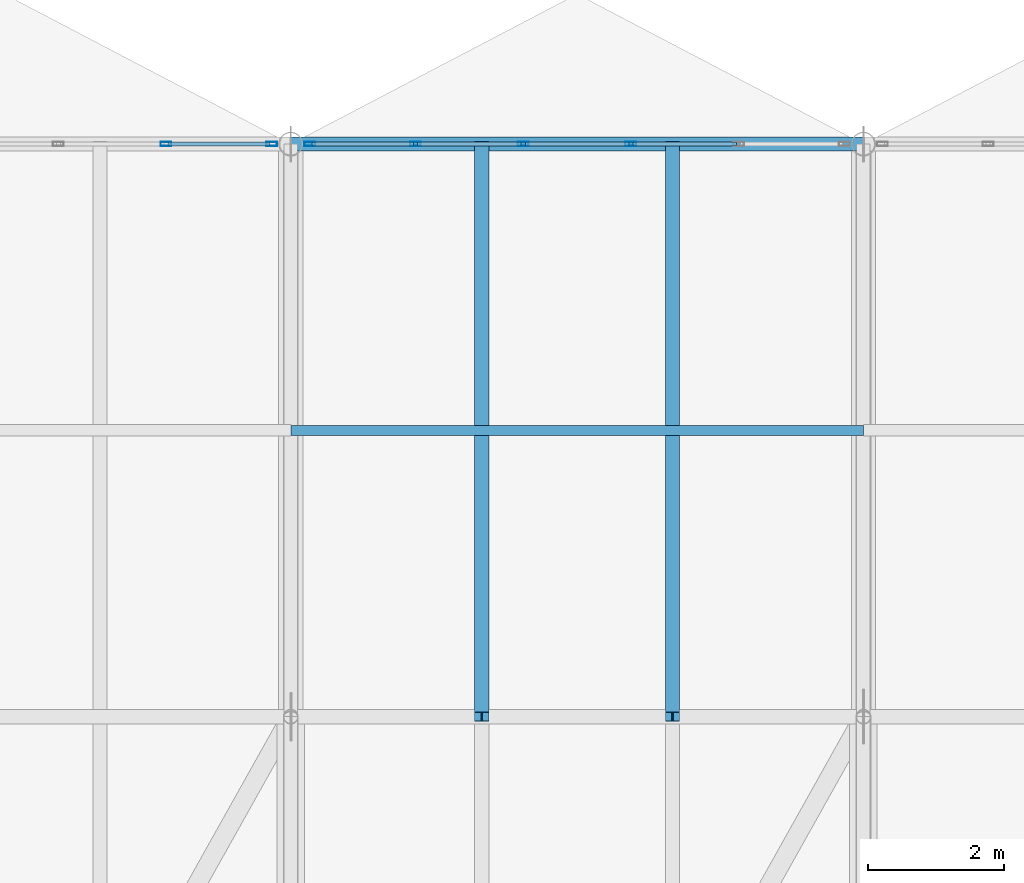
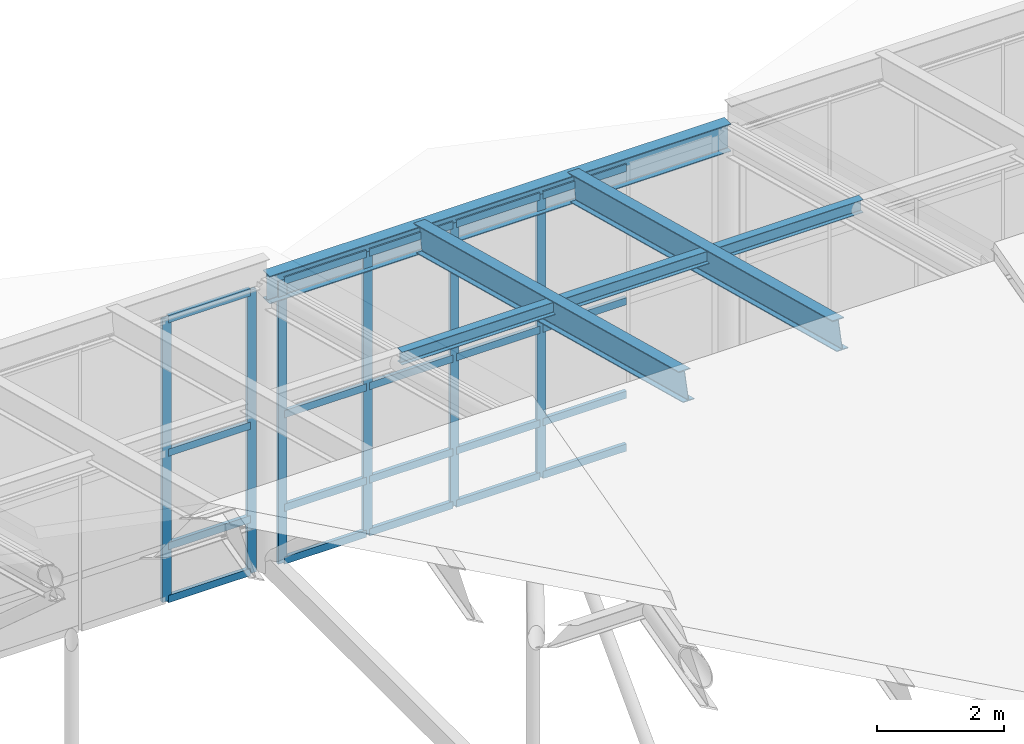
# One storey, part 31 of 43: 27 members, 3 beams, 2 elements without a shape of their own.
"""IFC4 building model written with IfcOpenShell, lengths in metres."""

from ifc_helpers import new_model, si_unit, direction, frame, origin, origin_2d, place, context, subcontext, project, spatial, hollow_rectangle, i_section, extrude, material, layer, layer_set, material_profile, profile_set, type_object, element, aggregate, save


model = new_model("IFC4")

# Units and contexts
model_context = context("Model", 3, precision=1e-05, world=origin(), true_north=direction((0.0, 1.0)))
body_context = subcontext(model_context, "Body", "Model", "MODEL_VIEW")
ifc_project = project(units=[si_unit("LENGTHUNIT", "METRE"), si_unit("AREAUNIT", "SQUARE_METRE"), si_unit("VOLUMEUNIT", "CUBIC_METRE"), si_unit("PLANEANGLEUNIT", "RADIAN"), si_unit("MASSUNIT", "GRAM", prefix="KILO")], contexts=[model_context])

# Site, building, storey
site_placement = place(None, origin())
site = spatial("IfcSite", under=ifc_project, at=site_placement, CompositionType="ELEMENT")
building_placement = place(site_placement, origin())
building = spatial("IfcBuilding", under=site, at=building_placement, Name="Selat Folded Stagehouse", CompositionType="ELEMENT")
storey_placement = place(building_placement, frame((0.0, 0.0, 32.39990234375)))
storey = spatial("IfcBuildingStorey", under=building, at=storey_placement, Name="RF", CompositionType="ELEMENT", Elevation=32.39990234375)

# Beams
ifc_material_1 = material(Name="Steel S355", Category="steel")
ifc_material_profile_1 = material_profile(ifc_material_1, i_section(OverallWidth=0.209228515625, OverallDepth=0.533203125, WebThickness=0.010009765625, FlangeThickness=0.015625, FilletRadius=0.0126953125, at=origin_2d()), Name="UKB 533x210x92")
ifc_profile_set_1 = profile_set([ifc_material_profile_1], Name="Steel S355")
beam_type = type_object("IfcBeamType", Name="BM-GIRD-533x210x92", PredefinedType="BEAM", material=ifc_profile_set_1)
beam_placement = place(storey_placement, frame((50.39990234375, 54.60009765625, 5.388916015625), z_axis=(1.0, 0.0, 0.0), x_axis=(0.0, 1.0, 0.0)))
element("IfcBeam", 1, at=beam_placement, inside=storey, type_object=beam_type, Name="RF bay 6 N roof bearer beam", PredefinedType="BEAM", context=body_context, shape_type="SweptSolid", body=[
    extrude(i_section(OverallWidth=0.209228515625, OverallDepth=0.533203125, WebThickness=0.010009765625, FlangeThickness=0.015625, FilletRadius=0.0126953125, at=origin_2d()), origin(), (0.0, 0.0, 1.0), 8.400146484375),
])
for number, where, z_axis, x_axis, name in (
    (2, (53.199951171875, 46.199951171875, 7.60888671875), (0.0, 0.966807574904, -0.255505602889), (-1.0, 0.0, 0.0), "RF bay 6 W north sub-rafter"),
    (3, (56.0, 46.199951171875, 7.60888671875), (0.0, 0.966807574904, -0.255505602889), (-1.0, 0.0, 0.0), "RF bay 6 E north sub-rafter"),
):
    element("IfcBeam", number, at=place(storey_placement, frame(where, z_axis=z_axis, x_axis=x_axis)), inside=storey, type_object=beam_type, Name=name, PredefinedType="BEAM", context=body_context, shape_type="SweptSolid", body=[
        extrude(i_section(OverallWidth=0.209228515625, OverallDepth=0.533203125, WebThickness=0.010009765625, FlangeThickness=0.015625, FilletRadius=0.0126953125, at=origin_2d()), origin(), (0.0, 0.0, 1.0), 8.6884765625),
    ])

# Curtain wall, members
ifc_material_2 = material(Name="Aluminium 6063-T6", Category="aluminium")
ifc_layer = layer(ifc_material_2, 0.169921875)
ifc_layer_set = layer_set([ifc_layer], Name="Aluminium 6063-T6")
curtain_wall_type = type_object("IfcCurtainWallType", Name="CW-CRN-CLER", PredefinedType="NOTDEFINED", material=ifc_layer_set)
curtain_wall_1_placement = place(storey_placement, origin())
curtain_wall_1 = element("IfcCurtainWall", 4, at=curtain_wall_1_placement, inside=storey, type_object=curtain_wall_type, Name="RF curtain wall CW-RF-N-04", PredefinedType="NOTDEFINED")
ifc_material_profile_2 = material_profile(ifc_material_2, hollow_rectangle(XDim=0.06005859375, YDim=0.159912109375, WallThickness=0.00390625, at=origin_2d()), Name="ALU 160x60x4.0")
ifc_profile_set_2 = profile_set([ifc_material_profile_2], Name="Aluminium 6063-T6")
member_type_1 = type_object("IfcMemberType", Name="CWM-MUL-160x60", PredefinedType="MULLION", material=ifc_profile_set_2)
member_1_placement = place(storey_placement, frame((48.570068359375, 54.60009765625, 0.0), z_axis=(0.0, 0.0, 1.0), x_axis=(0.0, 1.0, 0.0)))
member_1 = element("IfcMember", 5, at=member_1_placement, type_object=member_type_1, Name="CW-09 mullion 5", PredefinedType="MULLION", context=body_context, shape_type="SweptSolid", body=[
    extrude(hollow_rectangle(XDim=0.06005859375, YDim=0.159912109375, WallThickness=0.00390625, at=origin_2d()), origin(), (0.0, 0.0, 1.0), 5.4501953125),
])
member_2_placement = place(storey_placement, frame((50.1201171875, 54.60009765625, 0.0), z_axis=(0.0, 0.0, 1.0), x_axis=(0.0, 1.0, 0.0)))
member_2 = element("IfcMember", 6, at=member_2_placement, type_object=member_type_1, Name="CW-09 mullion 6", PredefinedType="MULLION", context=body_context, shape_type="SweptSolid", body=[
    extrude(hollow_rectangle(XDim=0.06005859375, YDim=0.159912109375, WallThickness=0.00390625, at=origin_2d()), origin(), (0.0, 0.0, 1.0), 5.4501953125),
])

curtain_wall_2_placement = place(storey_placement, origin())
curtain_wall_2 = element("IfcCurtainWall", 7, at=curtain_wall_2_placement, inside=storey, type_object=curtain_wall_type, Name="RF curtain wall CW-RF-N-05", PredefinedType="NOTDEFINED")
member_3_placement = place(storey_placement, frame((50.679931640625, 54.60009765625, 0.0), z_axis=(0.0, 0.0, 1.0), x_axis=(0.0, 1.0, 0.0)))
member_3 = element("IfcMember", 8, at=member_3_placement, type_object=member_type_1, Name="CW-09 mullion 1", PredefinedType="MULLION", context=body_context, shape_type="SweptSolid", body=[
    extrude(hollow_rectangle(XDim=0.06005859375, YDim=0.159912109375, WallThickness=0.00390625, at=origin_2d()), origin(), (0.0, 0.0, 1.0), 5.4501953125),
])
member_4_placement = place(storey_placement, frame((52.22998046875, 54.60009765625, 0.0), z_axis=(0.0, 0.0, 1.0), x_axis=(0.0, 1.0, 0.0)))
member_4 = element("IfcMember", 9, at=member_4_placement, type_object=member_type_1, Name="CW-09 mullion 2", PredefinedType="MULLION", context=body_context, shape_type="SweptSolid", body=[
    extrude(hollow_rectangle(XDim=0.06005859375, YDim=0.159912109375, WallThickness=0.00390625, at=origin_2d()), origin(), (0.0, 0.0, 1.0), 5.4501953125),
])
member_5_placement = place(storey_placement, frame((53.81005859375, 54.60009765625, 0.0), z_axis=(0.0, 0.0, 1.0), x_axis=(0.0, 1.0, 0.0)))
member_5 = element("IfcMember", 10, at=member_5_placement, type_object=member_type_1, Name="CW-09 mullion 3", PredefinedType="MULLION", context=body_context, shape_type="SweptSolid", body=[
    extrude(hollow_rectangle(XDim=0.06005859375, YDim=0.159912109375, WallThickness=0.00390625, at=origin_2d()), origin(), (0.0, 0.0, 1.0), 5.4501953125),
])
member_6_placement = place(storey_placement, frame((55.389892578125, 54.60009765625, 0.0), z_axis=(0.0, 0.0, 1.0), x_axis=(0.0, 1.0, 0.0)))
member_6 = element("IfcMember", 11, at=member_6_placement, type_object=member_type_1, Name="CW-09 mullion 4", PredefinedType="MULLION", context=body_context, shape_type="SweptSolid", body=[
    extrude(hollow_rectangle(XDim=0.06005859375, YDim=0.159912109375, WallThickness=0.00390625, at=origin_2d()), origin(), (0.0, 0.0, 1.0), 5.4501953125),
])

# Member
ifc_material_profile_3 = material_profile(ifc_material_2, hollow_rectangle(XDim=0.06494140625, YDim=0.139892578125, WallThickness=0.00390625, at=origin_2d()), Name="ALU 140x65x4.0")
ifc_profile_set_3 = profile_set([ifc_material_profile_3], Name="Aluminium 6063-T6")
member_type_2 = type_object("IfcMemberType", Name="CWM-TRN-140x65", PredefinedType="USERDEFINED", material=ifc_profile_set_3)
member_7_placement = place(storey_placement, frame((48.60009765625, 54.60009765625, 0.03271484375), z_axis=(1.0, 0.0, 0.0), x_axis=(0.0, 1.0, 0.0)))
member_7 = element("IfcMember", 12, at=member_7_placement, type_object=member_type_2, Name="CW-09 transom 5.1", ObjectType="TRANSOM", PredefinedType="USERDEFINED", context=body_context, shape_type="SweptSolid", body=[
    extrude(hollow_rectangle(XDim=0.06494140625, YDim=0.139892578125, WallThickness=0.00390625, at=origin_2d()), origin(), (0.0, 0.0, 1.0), 1.489990234375),
])

member_8_placement = place(storey_placement, frame((48.60009765625, 54.60009765625, 1.050048828125), z_axis=(1.0, 0.0, 0.0), x_axis=(0.0, 1.0, 0.0)))
member_8 = element("IfcMember", 13, at=member_8_placement, type_object=member_type_2, Name="CW-09 transom 5.2", ObjectType="TRANSOM", PredefinedType="USERDEFINED", context=body_context, shape_type="SweptSolid", body=[
    extrude(hollow_rectangle(XDim=0.06494140625, YDim=0.139892578125, WallThickness=0.00390625, at=origin_2d()), origin(), (0.0, 0.0, 1.0), 1.489990234375),
])

member_9_placement = place(storey_placement, frame((48.60009765625, 54.60009765625, 2.85009765625), z_axis=(1.0, 0.0, 0.0), x_axis=(0.0, 1.0, 0.0)))
member_9 = element("IfcMember", 14, at=member_9_placement, type_object=member_type_2, Name="CW-09 transom 5.3", ObjectType="TRANSOM", PredefinedType="USERDEFINED", context=body_context, shape_type="SweptSolid", body=[
    extrude(hollow_rectangle(XDim=0.06494140625, YDim=0.139892578125, WallThickness=0.00390625, at=origin_2d()), origin(), (0.0, 0.0, 1.0), 1.489990234375),
])

member_10_placement = place(storey_placement, frame((48.60009765625, 54.60009765625, 5.41748046875), z_axis=(1.0, 0.0, 0.0), x_axis=(0.0, 1.0, 0.0)))
member_10 = element("IfcMember", 15, at=member_10_placement, type_object=member_type_2, Name="CW-09 transom 5.4", ObjectType="TRANSOM", PredefinedType="USERDEFINED", context=body_context, shape_type="SweptSolid", body=[
    extrude(hollow_rectangle(XDim=0.06494140625, YDim=0.139892578125, WallThickness=0.00390625, at=origin_2d()), origin(), (0.0, 0.0, 1.0), 1.489990234375),
])

aggregate(curtain_wall_1, [member_1, member_2, member_7, member_8, member_9, member_10])

member_11_placement = place(storey_placement, frame((50.7099609375, 54.60009765625, 0.03271484375), z_axis=(1.0, 0.0, 0.0), x_axis=(0.0, 1.0, 0.0)))
member_11 = element("IfcMember", 16, at=member_11_placement, type_object=member_type_2, Name="CW-09 transom 1.1", ObjectType="TRANSOM", PredefinedType="USERDEFINED", context=body_context, shape_type="SweptSolid", body=[
    extrude(hollow_rectangle(XDim=0.06494140625, YDim=0.139892578125, WallThickness=0.00390625, at=origin_2d()), origin(), (0.0, 0.0, 1.0), 1.489990234375),
])

member_12_placement = place(storey_placement, frame((50.7099609375, 54.60009765625, 1.050048828125), z_axis=(1.0, 0.0, 0.0), x_axis=(0.0, 1.0, 0.0)))
member_12 = element("IfcMember", 17, at=member_12_placement, type_object=member_type_2, Name="CW-09 transom 1.2", ObjectType="TRANSOM", PredefinedType="USERDEFINED", context=body_context, shape_type="SweptSolid", body=[
    extrude(hollow_rectangle(XDim=0.06494140625, YDim=0.139892578125, WallThickness=0.00390625, at=origin_2d()), origin(), (0.0, 0.0, 1.0), 1.489990234375),
])

member_13_placement = place(storey_placement, frame((50.7099609375, 54.60009765625, 2.85009765625), z_axis=(1.0, 0.0, 0.0), x_axis=(0.0, 1.0, 0.0)))
member_13 = element("IfcMember", 18, at=member_13_placement, type_object=member_type_2, Name="CW-09 transom 1.3", ObjectType="TRANSOM", PredefinedType="USERDEFINED", context=body_context, shape_type="SweptSolid", body=[
    extrude(hollow_rectangle(XDim=0.06494140625, YDim=0.139892578125, WallThickness=0.00390625, at=origin_2d()), origin(), (0.0, 0.0, 1.0), 1.489990234375),
])

member_14_placement = place(storey_placement, frame((50.7099609375, 54.60009765625, 5.41748046875), z_axis=(1.0, 0.0, 0.0), x_axis=(0.0, 1.0, 0.0)))
member_14 = element("IfcMember", 19, at=member_14_placement, type_object=member_type_2, Name="CW-09 transom 1.4", ObjectType="TRANSOM", PredefinedType="USERDEFINED", context=body_context, shape_type="SweptSolid", body=[
    extrude(hollow_rectangle(XDim=0.06494140625, YDim=0.139892578125, WallThickness=0.00390625, at=origin_2d()), origin(), (0.0, 0.0, 1.0), 1.489990234375),
])

member_15_placement = place(storey_placement, frame((52.260009765625, 54.60009765625, 0.03271484375), z_axis=(1.0, 0.0, 0.0), x_axis=(0.0, 1.0, 0.0)))
member_15 = element("IfcMember", 20, at=member_15_placement, type_object=member_type_2, Name="CW-09 transom 2.1", ObjectType="TRANSOM", PredefinedType="USERDEFINED", context=body_context, shape_type="SweptSolid", body=[
    extrude(hollow_rectangle(XDim=0.06494140625, YDim=0.139892578125, WallThickness=0.00390625, at=origin_2d()), origin(), (0.0, 0.0, 1.0), 1.52001953125),
])

member_16_placement = place(storey_placement, frame((52.260009765625, 54.60009765625, 1.050048828125), z_axis=(1.0, 0.0, 0.0), x_axis=(0.0, 1.0, 0.0)))
member_16 = element("IfcMember", 21, at=member_16_placement, type_object=member_type_2, Name="CW-09 transom 2.2", ObjectType="TRANSOM", PredefinedType="USERDEFINED", context=body_context, shape_type="SweptSolid", body=[
    extrude(hollow_rectangle(XDim=0.06494140625, YDim=0.139892578125, WallThickness=0.00390625, at=origin_2d()), origin(), (0.0, 0.0, 1.0), 1.52001953125),
])

member_17_placement = place(storey_placement, frame((52.260009765625, 54.60009765625, 2.85009765625), z_axis=(1.0, 0.0, 0.0), x_axis=(0.0, 1.0, 0.0)))
member_17 = element("IfcMember", 22, at=member_17_placement, type_object=member_type_2, Name="CW-09 transom 2.3", ObjectType="TRANSOM", PredefinedType="USERDEFINED", context=body_context, shape_type="SweptSolid", body=[
    extrude(hollow_rectangle(XDim=0.06494140625, YDim=0.139892578125, WallThickness=0.00390625, at=origin_2d()), origin(), (0.0, 0.0, 1.0), 1.52001953125),
])

member_18_placement = place(storey_placement, frame((52.260009765625, 54.60009765625, 5.41748046875), z_axis=(1.0, 0.0, 0.0), x_axis=(0.0, 1.0, 0.0)))
member_18 = element("IfcMember", 23, at=member_18_placement, type_object=member_type_2, Name="CW-09 transom 2.4", ObjectType="TRANSOM", PredefinedType="USERDEFINED", context=body_context, shape_type="SweptSolid", body=[
    extrude(hollow_rectangle(XDim=0.06494140625, YDim=0.139892578125, WallThickness=0.00390625, at=origin_2d()), origin(), (0.0, 0.0, 1.0), 1.52001953125),
])

member_19_placement = place(storey_placement, frame((53.840087890625, 54.60009765625, 0.03271484375), z_axis=(1.0, 0.0, 0.0), x_axis=(0.0, 1.0, 0.0)))
member_19 = element("IfcMember", 24, at=member_19_placement, type_object=member_type_2, Name="CW-09 transom 3.1", ObjectType="TRANSOM", PredefinedType="USERDEFINED", context=body_context, shape_type="SweptSolid", body=[
    extrude(hollow_rectangle(XDim=0.06494140625, YDim=0.139892578125, WallThickness=0.00390625, at=origin_2d()), origin(), (0.0, 0.0, 1.0), 1.52001953125),
])

member_20_placement = place(storey_placement, frame((53.840087890625, 54.60009765625, 1.050048828125), z_axis=(1.0, 0.0, 0.0), x_axis=(0.0, 1.0, 0.0)))
member_20 = element("IfcMember", 25, at=member_20_placement, type_object=member_type_2, Name="CW-09 transom 3.2", ObjectType="TRANSOM", PredefinedType="USERDEFINED", context=body_context, shape_type="SweptSolid", body=[
    extrude(hollow_rectangle(XDim=0.06494140625, YDim=0.139892578125, WallThickness=0.00390625, at=origin_2d()), origin(), (0.0, 0.0, 1.0), 1.52001953125),
])

member_21_placement = place(storey_placement, frame((53.840087890625, 54.60009765625, 2.85009765625), z_axis=(1.0, 0.0, 0.0), x_axis=(0.0, 1.0, 0.0)))
member_21 = element("IfcMember", 26, at=member_21_placement, type_object=member_type_2, Name="CW-09 transom 3.3", ObjectType="TRANSOM", PredefinedType="USERDEFINED", context=body_context, shape_type="SweptSolid", body=[
    extrude(hollow_rectangle(XDim=0.06494140625, YDim=0.139892578125, WallThickness=0.00390625, at=origin_2d()), origin(), (0.0, 0.0, 1.0), 1.52001953125),
])

member_22_placement = place(storey_placement, frame((53.840087890625, 54.60009765625, 5.41748046875), z_axis=(1.0, 0.0, 0.0), x_axis=(0.0, 1.0, 0.0)))
member_22 = element("IfcMember", 27, at=member_22_placement, type_object=member_type_2, Name="CW-09 transom 3.4", ObjectType="TRANSOM", PredefinedType="USERDEFINED", context=body_context, shape_type="SweptSolid", body=[
    extrude(hollow_rectangle(XDim=0.06494140625, YDim=0.139892578125, WallThickness=0.00390625, at=origin_2d()), origin(), (0.0, 0.0, 1.0), 1.52001953125),
])

member_23_placement = place(storey_placement, frame((55.419921875, 54.60009765625, 0.03271484375), z_axis=(1.0, 0.0, 0.0), x_axis=(0.0, 1.0, 0.0)))
member_23 = element("IfcMember", 28, at=member_23_placement, type_object=member_type_2, Name="CW-09 transom 4.1", ObjectType="TRANSOM", PredefinedType="USERDEFINED", context=body_context, shape_type="SweptSolid", body=[
    extrude(hollow_rectangle(XDim=0.06494140625, YDim=0.139892578125, WallThickness=0.00390625, at=origin_2d()), origin(), (0.0, 0.0, 1.0), 1.52001953125),
])

member_24_placement = place(storey_placement, frame((55.419921875, 54.60009765625, 1.050048828125), z_axis=(1.0, 0.0, 0.0), x_axis=(0.0, 1.0, 0.0)))
member_24 = element("IfcMember", 29, at=member_24_placement, type_object=member_type_2, Name="CW-09 transom 4.2", ObjectType="TRANSOM", PredefinedType="USERDEFINED", context=body_context, shape_type="SweptSolid", body=[
    extrude(hollow_rectangle(XDim=0.06494140625, YDim=0.139892578125, WallThickness=0.00390625, at=origin_2d()), origin(), (0.0, 0.0, 1.0), 1.52001953125),
])

member_25_placement = place(storey_placement, frame((55.419921875, 54.60009765625, 2.85009765625), z_axis=(1.0, 0.0, 0.0), x_axis=(0.0, 1.0, 0.0)))
member_25 = element("IfcMember", 30, at=member_25_placement, type_object=member_type_2, Name="CW-09 transom 4.3", ObjectType="TRANSOM", PredefinedType="USERDEFINED", context=body_context, shape_type="SweptSolid", body=[
    extrude(hollow_rectangle(XDim=0.06494140625, YDim=0.139892578125, WallThickness=0.00390625, at=origin_2d()), origin(), (0.0, 0.0, 1.0), 1.52001953125),
])

member_26_placement = place(storey_placement, frame((55.419921875, 54.60009765625, 5.41748046875), z_axis=(1.0, 0.0, 0.0), x_axis=(0.0, 1.0, 0.0)))
member_26 = element("IfcMember", 31, at=member_26_placement, type_object=member_type_2, Name="CW-09 transom 4.4", ObjectType="TRANSOM", PredefinedType="USERDEFINED", context=body_context, shape_type="SweptSolid", body=[
    extrude(hollow_rectangle(XDim=0.06494140625, YDim=0.139892578125, WallThickness=0.00390625, at=origin_2d()), origin(), (0.0, 0.0, 1.0), 1.52001953125),
])

aggregate(curtain_wall_2, [member_3, member_4, member_5, member_6, member_11, member_12, member_13, member_14, member_15, member_16, member_17, member_18, member_19, member_20, member_21, member_22, member_23, member_24, member_25, member_26])

ifc_material_profile_4 = material_profile(ifc_material_1, i_section(OverallWidth=0.14599609375, OverallDepth=0.25146484375, WebThickness=0.006103515625, FlangeThickness=0.008544921875, FilletRadius=0.007568359375, at=origin_2d()), Name="UKB 254x146x31")
ifc_profile_set_4 = profile_set([ifc_material_profile_4], Name="Steel S355")
member_type_3 = type_object("IfcMemberType", Name="MEM-PURLIN-UKB254", PredefinedType="PURLIN", material=ifc_profile_set_4)
member_27_placement = place(storey_placement, frame((50.39990234375, 50.39990234375, 6.59814453125), z_axis=(1.0, 0.0, 0.0), x_axis=(0.0, 1.0, 0.0)))
element("IfcMember", 32, at=member_27_placement, inside=storey, type_object=member_type_3, Name="Folded-plate roof purlin bay 6.5", PredefinedType="PURLIN", context=body_context, shape_type="SweptSolid", body=[
    extrude(i_section(OverallWidth=0.14599609375, OverallDepth=0.25146484375, WebThickness=0.006103515625, FlangeThickness=0.008544921875, FilletRadius=0.007568359375, at=origin_2d()), origin(), (0.0, 0.0, 1.0), 8.400146484375),
])

save(model, "model.ifc")
